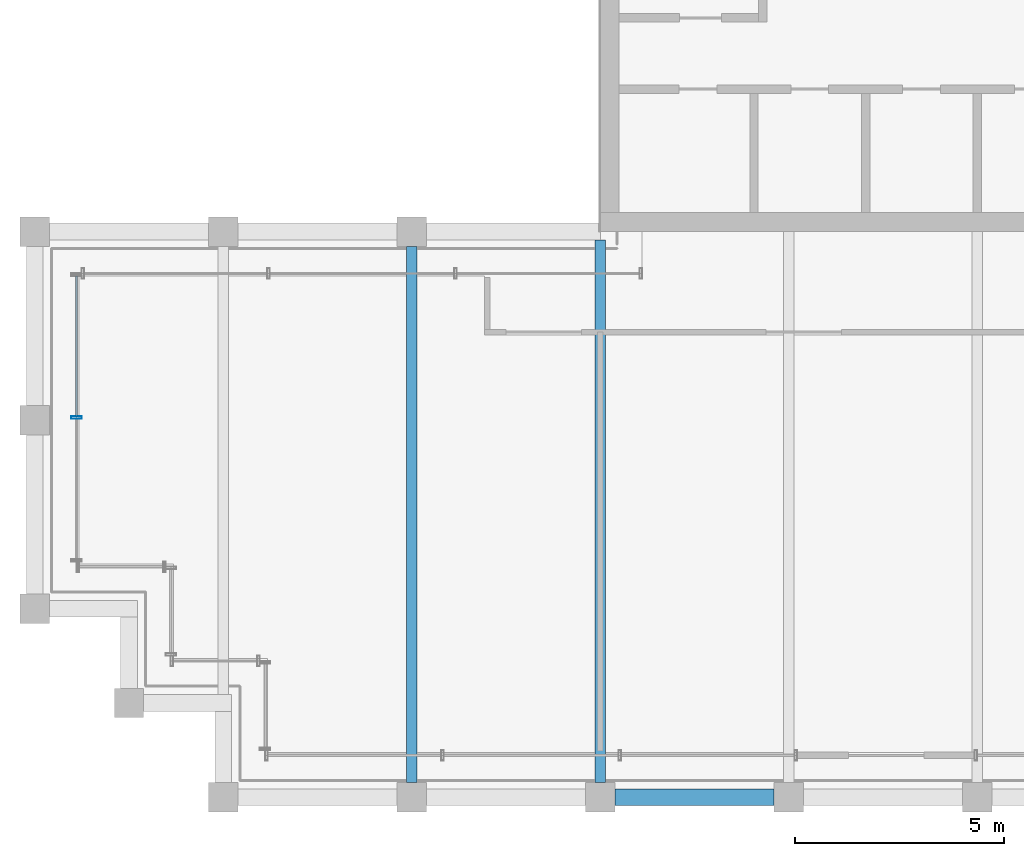
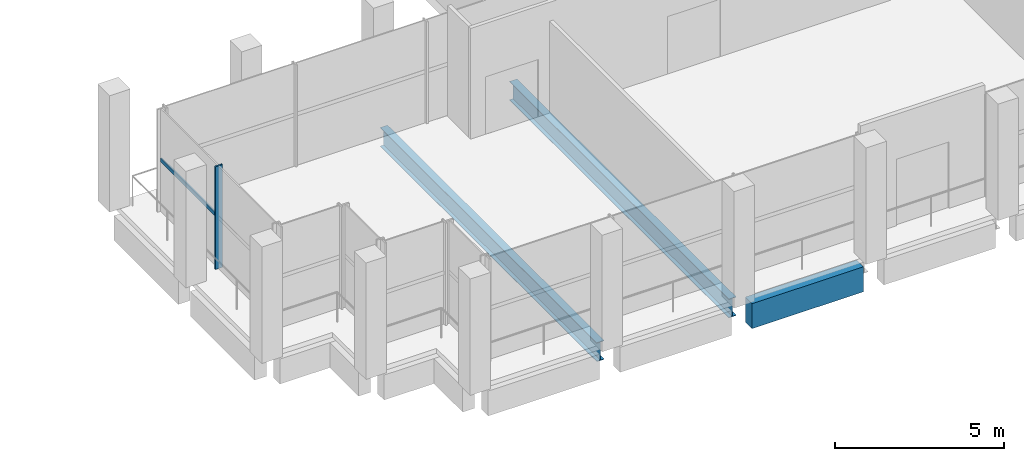
# One storey, part 3 of 17: 3 beams, 2 members, 1 element without a shape of its own.
"""IFC4 building model written with IfcOpenShell, lengths in metres."""

from ifc_helpers import new_model, si_unit, direction, frame, origin, origin_2d, place, context, subcontext, project, spatial, rectangle, hollow_rectangle, i_section, extrude, material, material_profile, profile_set, type_object, element, aggregate, save


model = new_model("IFC4")

# Units and contexts
model_context = context("Model", 3, precision=1e-05, world=origin(), true_north=direction((0.0, 1.0)))
body_context = subcontext(model_context, "Body", "Model", "MODEL_VIEW")
ifc_project = project(units=[si_unit("LENGTHUNIT", "METRE"), si_unit("AREAUNIT", "SQUARE_METRE"), si_unit("VOLUMEUNIT", "CUBIC_METRE"), si_unit("PLANEANGLEUNIT", "RADIAN"), si_unit("MASSUNIT", "GRAM", prefix="KILO")], contexts=[model_context])

# Site, building, storey
site_placement = place(None, origin())
site = spatial("IfcSite", under=ifc_project, at=site_placement, CompositionType="ELEMENT")
building_placement = place(site_placement, origin())
building = spatial("IfcBuilding", under=site, at=building_placement, Name="Altepetl Exchange Towers", CompositionType="ELEMENT")
storey_placement = place(building_placement, frame((0.0, 0.0, 255.199951171875)))
storey = spatial("IfcBuildingStorey", under=building, at=storey_placement, Name="L65", CompositionType="ELEMENT", Elevation=255.199951171875)

# Beams
ifc_material_1 = material(Name="Steel S355", Category="steel")
ifc_material_profile_1 = material_profile(ifc_material_1, i_section(OverallWidth=0.25390625, OverallDepth=0.68408203125, WebThickness=0.012451171875, FlangeThickness=0.018798828125, at=origin_2d()), Name="W27X94")
ifc_profile_set_1 = profile_set([ifc_material_profile_1], Name="Steel S355")
beam_type_1 = type_object("IfcBeamType", Name="Floor beam W27X94", PredefinedType="BEAM", material=ifc_profile_set_1)
beam_1_placement = place(storey_placement, frame((36.0, 27.35009765625, -0.516845703125), z_axis=(0.0, 1.0, 0.0), x_axis=(-1.0, 0.0, 0.0)))
element("IfcBeam", 1, at=beam_1_placement, inside=storey, type_object=beam_type_1, Name="bm:A:L65:013", PredefinedType="BEAM", context=body_context, shape_type="SweptSolid", body=[
    extrude(i_section(OverallWidth=0.25390625, OverallDepth=0.68408203125, WebThickness=0.012451171875, FlangeThickness=0.018798828125, at=origin_2d()), origin(), (0.0, 0.0, 1.0), 12.7998046875),
])
beam_2_placement = place(storey_placement, frame((40.5, 27.35009765625, -0.516845703125), z_axis=(0.0, 1.0, 0.0), x_axis=(-1.0, 0.0, 0.0)))
element("IfcBeam", 2, at=beam_2_placement, inside=storey, type_object=beam_type_1, Name="bm:A:L65:014", PredefinedType="BEAM", context=body_context, shape_type="SweptSolid", body=[
    extrude(i_section(OverallWidth=0.25390625, OverallDepth=0.68408203125, WebThickness=0.012451171875, FlangeThickness=0.018798828125, at=origin_2d()), origin(), (0.0, 0.0, 1.0), 12.949951171875),
])

# Curtain wall, member
ifc_material_2 = material(Name="Aluminium 6063-T6 glazing", Category="aluminium")
curtain_wall_type = type_object("IfcCurtainWallType", Name="Executive flush glazing system", PredefinedType="NOTDEFINED", material=ifc_material_2)
curtain_wall_placement = place(storey_placement, origin())
curtain_wall = element("IfcCurtainWall", 3, at=curtain_wall_placement, inside=storey, type_object=curtain_wall_type, Name="CW4 run", PredefinedType="NOTDEFINED")
ifc_material_3 = material(Name="Aluminium 6063-T6", Category="aluminium")
ifc_material_profile_2 = material_profile(ifc_material_3, hollow_rectangle(XDim=0.06005859375, YDim=0.25, WallThickness=0.0029296875, at=origin_2d()), Name="Mullion 60x250 hollow aluminium")
ifc_profile_set_2 = profile_set([ifc_material_profile_2], Name="Aluminium 6063-T6")
member_type_1 = type_object("IfcMemberType", Name="Mullion 60x250 hollow aluminium", PredefinedType="MULLION", material=ifc_profile_set_2)
member_1_placement = place(storey_placement, frame((28.0, 36.0625, 0.0), z_axis=(0.0, 0.0, 1.0), x_axis=(0.0, -1.0, 0.0)))
member_1 = element("IfcMember", 4, at=member_1_placement, type_object=member_type_1, Name="MU3 mullion", PredefinedType="MULLION", context=body_context, shape_type="SweptSolid", body=[
    extrude(hollow_rectangle(XDim=0.06005859375, YDim=0.25, WallThickness=0.0029296875, at=origin_2d()), origin(), (0.0, 0.0, 1.0), 3.699951171875),
])

# Beam
ifc_material_4 = material(Name="Concrete C50/60 precast with cantera blanca facing", Category="concrete")
ifc_material_profile_3 = material_profile(ifc_material_4, rectangle(XDim=0.39990234375, YDim=0.89990234375, at=origin_2d()), Name="400 x 900")
ifc_profile_set_3 = profile_set([ifc_material_profile_3], Name="Concrete C50/60 precast with cantera blanca facing")
beam_type_2 = type_object("IfcBeamType", Name="Spandrel beam 400x900 cantera blanca", PredefinedType="SPANDREL", material=ifc_profile_set_3)
beam_3_placement = place(storey_placement, frame((40.85009765625, 27.0, -0.625), z_axis=(1.0, 0.0, 0.0), x_axis=(0.0, 1.0, 0.0)))
element("IfcBeam", 5, at=beam_3_placement, inside=storey, type_object=beam_type_2, Name="sp:A:L65:002", PredefinedType="SPANDREL", context=body_context, shape_type="SweptSolid", body=[
    extrude(rectangle(XDim=0.39990234375, YDim=0.89990234375, at=origin_2d()), origin(), (0.0, 0.0, 1.0), 3.7998046875),
])

# Member
ifc_material_profile_4 = material_profile(ifc_material_3, hollow_rectangle(XDim=0.050048828125, YDim=0.139892578125, WallThickness=0.0029296875, at=origin_2d()), Name="Transom 50x140 hollow aluminium")
ifc_profile_set_4 = profile_set([ifc_material_profile_4], Name="Aluminium 6063-T6")
member_type_2 = type_object("IfcMemberType", Name="Transom 50x140 hollow aluminium", PredefinedType="USERDEFINED", material=ifc_profile_set_4)
member_2_placement = place(storey_placement, frame((28.0, 39.43994140625, 1.85009765625), z_axis=(0.0, -1.0, 0.0), x_axis=(1.0, 0.0, 0.0)))
member_2 = element("IfcMember", 6, at=member_2_placement, type_object=member_type_2, Name="TR2 transom", ObjectType="TRANSOM", PredefinedType="USERDEFINED", context=body_context, shape_type="SweptSolid", body=[
    extrude(hollow_rectangle(XDim=0.050048828125, YDim=0.139892578125, WallThickness=0.0029296875, at=origin_2d()), origin(), (0.0, 0.0, 1.0), 3.347412109375),
])

aggregate(curtain_wall, [member_1, member_2])

save(model, "model.ifc")
